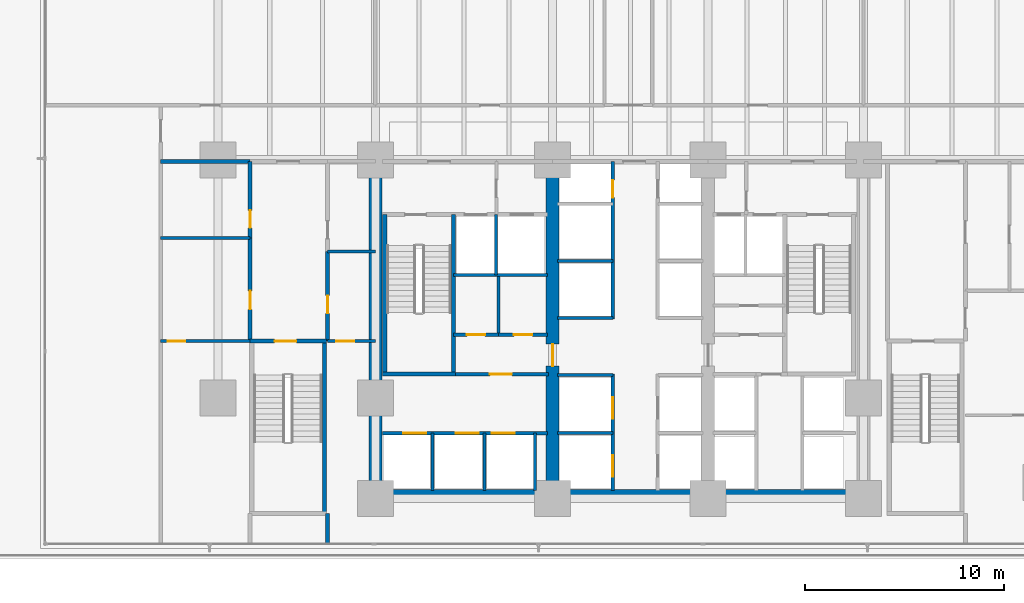
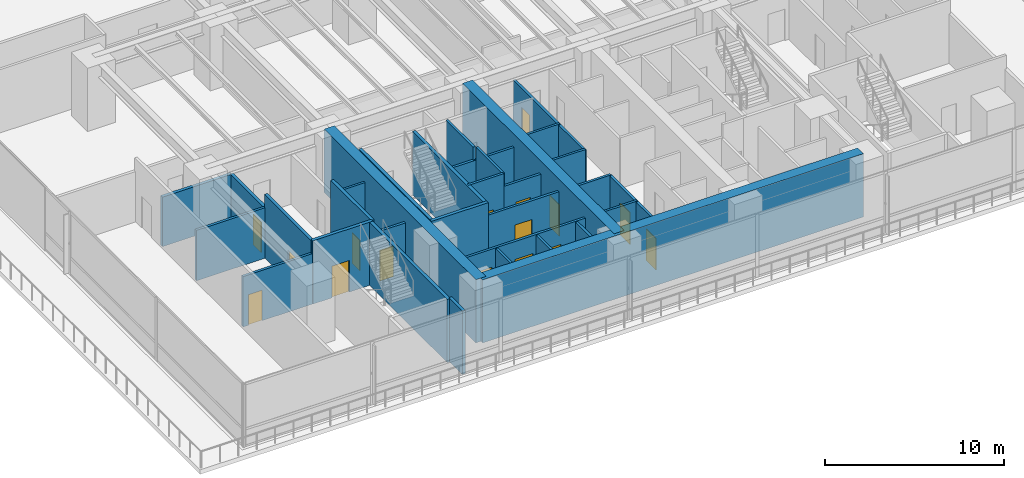
# One storey, part 9 of 24: 33 walls, 16 doors, 16 openings.
"""IFC4 building model written with IfcOpenShell, lengths in metres."""

from ifc_helpers import new_model, si_unit, direction, frame, frame_2d, origin, place, context, subcontext, project, spatial, rectangle, extrude, material, layer, layer_set, type_object, element, fill, save


model = new_model("IFC4")

# Units and contexts
model_context = context("Model", 3, precision=1e-05, world=origin(), true_north=direction((0.0, 1.0)))
body_context = subcontext(model_context, "Body", "Model", "MODEL_VIEW")
ifc_project = project(units=[si_unit("LENGTHUNIT", "METRE"), si_unit("AREAUNIT", "SQUARE_METRE"), si_unit("VOLUMEUNIT", "CUBIC_METRE"), si_unit("PLANEANGLEUNIT", "RADIAN"), si_unit("MASSUNIT", "GRAM", prefix="KILO")], contexts=[model_context])

# Site, building, storey
site_placement = place(None, origin())
site = spatial("IfcSite", under=ifc_project, at=site_placement, CompositionType="ELEMENT")
building_placement = place(site_placement, origin())
building = spatial("IfcBuilding", under=site, at=building_placement, Name="Qalmaran Belvedere Hotel", CompositionType="ELEMENT")
storey_placement = place(building_placement, frame((0.0, 0.0, 14.60009765625)))
storey = spatial("IfcBuildingStorey", under=building, at=storey_placement, Name="L03", CompositionType="ELEMENT", Elevation=14.60009765625)

# Walls
ifc_material_1 = material(Name="Concrete C60/75", Category="concrete")
ifc_layer_1 = layer(ifc_material_1, 0.64990234375, Name="Concrete C60/75")
ifc_layer_set_1 = layer_set([ifc_layer_1], Name="Concrete C60/75")
wall_type_1 = type_object("IfcWallType", Name="WL-CORE-650-C60", PredefinedType="SHEAR", material=ifc_layer_set_1)
wall_1_placement = place(storey_placement, frame((20.300048828125, 3.6298828125, 0.0), z_axis=(0.0, 0.0, 1.0), x_axis=(1.0, 0.0, 0.0)))
element("IfcWall", 1, at=wall_1_placement, inside=storey, type_object=wall_type_1, Name="L03 South Core Shear Wall", PredefinedType="SHEAR", context=body_context, shape_type="SweptSolid", body=[
    extrude(rectangle(XDim=24.5, YDim=0.64990234375, at=frame_2d((12.25, 0.0))), origin(), (0.0, 0.0, 1.0), 4.2998046875),
])
wall_2_placement = place(storey_placement, frame((20.300048828125, 3.5, 0.0), z_axis=(0.0, 0.0, 1.0), x_axis=(0.0, 1.0, 0.0)))
element("IfcWall", 2, at=wall_2_placement, inside=storey, type_object=wall_type_1, Name="L03 West Core Shear Wall", PredefinedType="SHEAR", context=body_context, shape_type="SweptSolid", body=[
    extrude(rectangle(XDim=16.89990234375, YDim=0.64990234375, at=frame_2d((8.449951171875, 0.0))), origin(), (0.0, 0.0, 1.0), 4.2998046875),
])

# Wall, opening, door
wall_3_placement = place(storey_placement, frame((29.199951171875, 3.5, 0.0), z_axis=(0.0, 0.0, 1.0), x_axis=(0.0, 1.0, 0.0)))
wall_3 = element("IfcWall", 3, at=wall_3_placement, inside=storey, type_object=wall_type_1, Name="L03 Core West Spine Shear Wall", PredefinedType="SHEAR", context=body_context, shape_type="SweptSolid", body=[
    extrude(rectangle(XDim=16.89990234375, YDim=0.64990234375, at=frame_2d((8.449951171875, 0.0))), origin(), (0.0, 0.0, 1.0), 4.2998046875),
])
opening_1_placement = place(wall_3_placement, frame((7.75, 0.0, 0.0), z_axis=(0.0, 0.0, 1.0), x_axis=(-1.0, 0.0, 0.0)))
opening_1 = element("IfcOpeningElement", 4, at=opening_1_placement, cuts=wall_3, Name="Opening FD90", PredefinedType="OPENING", context=body_context, shape_type="SweptSolid", body=[
    extrude(rectangle(XDim=1.10009765625, YDim=2.14990234375, at=frame_2d((0.550048828125, 1.074951171875))), frame((0.0, 0.3349609375, 0.0), z_axis=(0.0, -1.0, 0.0), x_axis=(1.0, 0.0, 0.0)), (0.0, 0.0, 1.0), 0.669921875),
])
ifc_material_2 = material(Name="Steel S355JR", Category="steel")
door_type_1 = type_object("IfcDoorType", Name="DR-FD90-1100X2150", OperationType="NOTDEFINED", PredefinedType="DOOR", material=ifc_material_2)
door_1_placement = place(opening_1_placement, origin())
door_1 = element("IfcDoor", 5, at=door_1_placement, inside=storey, type_object=door_type_1, Name="L03 Core West Cross-Lobby Door", OperationType="SINGLE_SWING_RIGHT", OverallHeight=2.14990234375, OverallWidth=1.10009765625, PredefinedType="DOOR", context=body_context, shape_type="SweptSolid", body=[
    extrude(rectangle(XDim=1.10009765625, YDim=2.14990234375, at=frame_2d((0.550048828125, 1.074951171875))), frame((0.0, 0.02490234375, 0.0), z_axis=(0.0, -1.0, 0.0), x_axis=(1.0, 0.0, 0.0)), (0.0, 0.0, 1.0), 0.050048828125),
])
fill(opening_1, door_1)

# Walls
ifc_material_3 = material(Name="Gypsum Stud Partition")
ifc_layer_2 = layer(ifc_material_3, 0.139892578125, Name="Gypsum Stud Partition")
ifc_layer_set_2 = layer_set([ifc_layer_2], Name="Gypsum Stud Partition")
wall_type_2 = type_object("IfcWallType", Name="WL-INT-140-NR", PredefinedType="PARTITIONING", material=ifc_layer_set_2)
wall_4_placement = place(storey_placement, frame((17.89990234375, 15.89990234375, 0.0), z_axis=(0.0, 0.0, 1.0), x_axis=(1.0, 0.0, 0.0)))
element("IfcWall", 6, at=wall_4_placement, inside=storey, type_object=wall_type_2, Name="L03 Partition WL-L03-SFGH2", PredefinedType="PARTITIONING", context=body_context, shape_type="SweptSolid", body=[
    extrude(rectangle(XDim=2.400146484375, YDim=0.139892578125, at=frame_2d((1.2001953125, 0.0))), origin(), (0.0, 0.0, 1.0), 3.429931640625),
])
ifc_layer_3 = layer(ifc_material_3, 0.14990234375, Name="Gypsum Stud Partition")
ifc_layer_set_3 = layer_set([ifc_layer_3], Name="Gypsum Stud Partition")
wall_type_3 = type_object("IfcWallType", Name="WL-INT-150-EI120", PredefinedType="PARTITIONING", material=ifc_layer_set_3)
wall_5_placement = place(storey_placement, frame((26.360107421875, 14.719970703125, 0.0), z_axis=(0.0, 0.0, 1.0), x_axis=(0.0, 1.0, 0.0)))
element("IfcWall", 7, at=wall_5_placement, inside=storey, type_object=wall_type_3, Name="L03 Partition WL-FF1M-L03", PredefinedType="PARTITIONING", context=body_context, shape_type="SweptSolid", body=[
    extrude(rectangle(XDim=3.0400390625, YDim=0.14990234375, at=frame_2d((1.52001953125, 0.0))), origin(), (0.0, 0.0, 1.0), 4.2998046875),
])
for number, where, z_axis, x_axis, name in (
    (8, (23.179931640625, 3.89990234375, 0.0), (0.0, 0.0, 1.0), (0.0, 1.0, 0.0), "L03 Partition WL-POM1-L03"),
    (9, (25.780029296875, 3.89990234375, 0.0), (0.0, 0.0, 1.0), (0.0, 1.0, 0.0), "L03 Partition WL-POM2-L03"),
    (10, (28.320068359375, 3.89990234375, 0.0), (0.0, 0.0, 1.0), (0.0, 1.0, 0.0), "L03 Partition WL-POM3-L03"),
):
    element("IfcWall", number, at=place(storey_placement, frame(where, z_axis=z_axis, x_axis=x_axis)), inside=storey, type_object=wall_type_3, Name=name, PredefinedType="PARTITIONING", context=body_context, shape_type="SweptSolid", body=[
        extrude(rectangle(XDim=2.880126953125, YDim=0.14990234375, at=frame_2d((1.43994140625, 0.0))), origin(), (0.0, 0.0, 1.0), 3.372802734375),
    ])
for number, where, z_axis, x_axis, name in (
    (11, (29.449951171875, 6.780029296875, 0.0), (0.0, 0.0, 1.0), (1.0, 0.0, 0.0), "L03 Partition WL-PLW-L03-67"),
    (12, (29.449951171875, 9.699951171875, 0.0), (0.0, 0.0, 1.0), (1.0, 0.0, 0.0), "L03 Partition WL-PLW-L03-97"),
    (13, (29.449951171875, 12.550048828125, 0.0), (0.0, 0.0, 1.0), (1.0, 0.0, 0.0), "L03 Partition WL-PMW-L03-125"),
    (14, (29.449951171875, 15.419921875, 0.0), (0.0, 0.0, 1.0), (1.0, 0.0, 0.0), "L03 Partition WL-PMW-L03-154"),
):
    element("IfcWall", number, at=place(storey_placement, frame(where, z_axis=z_axis, x_axis=x_axis)), inside=storey, type_object=wall_type_3, Name=name, PredefinedType="PARTITIONING", context=body_context, shape_type="SweptSolid", body=[
        extrude(rectangle(XDim=2.77001953125, YDim=0.14990234375, at=frame_2d((1.385009765625, 0.0))), origin(), (0.0, 0.0, 1.0), 3.429931640625),
    ])
ifc_layer_4 = layer(ifc_material_3, 0.14990234375, Name="Gypsum Stud Partition")
ifc_layer_set_4 = layer_set([ifc_layer_4], Name="Gypsum Stud Partition")
wall_type_4 = type_object("IfcWallType", Name="WL-INT-150-EI60", PredefinedType="PARTITIONING", material=ifc_layer_set_4)
wall_6_placement = place(storey_placement, frame((26.490478515625, 11.719970703125, 0.0), z_axis=(0.0, 0.0, 1.0), x_axis=(0.0, 1.0, 0.0)))
element("IfcWall", 15, at=wall_6_placement, inside=storey, type_object=wall_type_4, Name="L03 Partition WL-L03-KWV1", PredefinedType="PARTITIONING", context=body_context, shape_type="SweptSolid", body=[
    extrude(rectangle(XDim=2.929931640625, YDim=0.14990234375, at=frame_2d((1.46484375, 0.0))), origin(), (0.0, 0.0, 1.0), 4.2998046875),
])
ifc_layer_5 = layer(ifc_material_3, 0.159912109375, Name="Gypsum Stud Partition")
ifc_layer_set_5 = layer_set([ifc_layer_5], Name="Gypsum Stud Partition")
wall_type_5 = type_object("IfcWallType", Name="WL-INT-160-EI120", PredefinedType="PARTITIONING", material=ifc_layer_set_5)
wall_7_placement = place(storey_placement, frame((24.219970703125, 14.719970703125, 0.0), z_axis=(0.0, 0.0, 1.0), x_axis=(1.0, 0.0, 0.0)))
element("IfcWall", 16, at=wall_7_placement, inside=storey, type_object=wall_type_5, Name="L03 Partition WL-FF1S-L03", PredefinedType="PARTITIONING", context=body_context, shape_type="SweptSolid", body=[
    extrude(rectangle(XDim=4.72998046875, YDim=0.159912109375, at=frame_2d((2.364990234375, 0.0))), origin(), (0.0, 0.0, 1.0), 3.429931640625),
])

# Wall, openings, doors
wall_8_placement = place(storey_placement, frame((20.64990234375, 6.780029296875, 0.0), z_axis=(0.0, 0.0, 1.0), x_axis=(1.0, 0.0, 0.0)))
wall_8 = element("IfcWall", 17, at=wall_8_placement, inside=storey, type_object=wall_type_5, Name="L03 Partition WL-POS-L03", PredefinedType="PARTITIONING", context=body_context, shape_type="SweptSolid", body=[
    extrude(rectangle(XDim=8.300048828125, YDim=0.159912109375, at=frame_2d((4.14990234375, 0.0))), origin(), (0.0, 0.0, 1.0), 3.429931640625),
])
opening_2_placement = place(wall_8_placement, frame((3.69482421875, 0.0, 0.0)))
opening_2 = element("IfcOpeningElement", 18, at=opening_2_placement, cuts=wall_8, Name="Opening LD-PO", PredefinedType="OPENING", context=body_context, shape_type="SweptSolid", body=[
    extrude(rectangle(XDim=1.14990234375, YDim=2.199951171875, at=frame_2d((0.574951171875, 1.10009765625))), frame((0.0, 0.08984375, 0.0), z_axis=(0.0, -1.0, 0.0), x_axis=(1.0, 0.0, 0.0)), (0.0, 0.0, 1.0), 0.179931640625),
])
opening_3_placement = place(wall_8_placement, frame((5.4921875, 0.0, 0.0)))
opening_3 = element("IfcOpeningElement", 19, at=opening_3_placement, cuts=wall_8, Name="Opening LD-PO", PredefinedType="OPENING", context=body_context, shape_type="SweptSolid", body=[
    extrude(rectangle(XDim=1.14990234375, YDim=2.199951171875, at=frame_2d((0.574951171875, 1.10009765625))), frame((0.0, 0.08984375, 0.0), z_axis=(0.0, -1.0, 0.0), x_axis=(1.0, 0.0, 0.0)), (0.0, 0.0, 1.0), 0.179931640625),
])
opening_4_placement = place(wall_8_placement, frame((1.058837890625, 0.0, 0.0)))
opening_4 = element("IfcOpeningElement", 20, at=opening_4_placement, cuts=wall_8, Name="Opening LD-PO", PredefinedType="OPENING", context=body_context, shape_type="SweptSolid", body=[
    extrude(rectangle(XDim=1.14990234375, YDim=2.199951171875, at=frame_2d((0.574951171875, 1.10009765625))), frame((0.0, 0.08984375, 0.0), z_axis=(0.0, -1.0, 0.0), x_axis=(1.0, 0.0, 0.0)), (0.0, 0.0, 1.0), 0.179931640625),
])
ifc_material_4 = material(Name="Anodised Bronze Aluminium", Category="aluminium")
door_type_2 = type_object("IfcDoorType", Name="DR-LIFT-PO-1150X2200", OperationType="DOUBLE_DOOR_SLIDING", PredefinedType="DOOR", material=ifc_material_4)
door_2_placement = place(opening_2_placement, origin())
door_2 = element("IfcDoor", 21, at=door_2_placement, inside=storey, type_object=door_type_2, Name="L03 PO1 Shuttle Landing Door", OperationType="DOUBLE_DOOR_SLIDING", OverallHeight=2.199951171875, OverallWidth=1.14990234375, PredefinedType="DOOR", context=body_context, shape_type="SweptSolid", body=[
    extrude(rectangle(XDim=1.14990234375, YDim=2.199951171875, at=frame_2d((0.574951171875, 1.10009765625))), frame((0.0, 0.02490234375, 0.0), z_axis=(0.0, -1.0, 0.0), x_axis=(1.0, 0.0, 0.0)), (0.0, 0.0, 1.0), 0.050048828125),
])
fill(opening_2, door_2)
door_3_placement = place(opening_3_placement, origin())
door_3 = element("IfcDoor", 22, at=door_3_placement, inside=storey, type_object=door_type_2, Name="L03 PO2 Shuttle Landing Door", OperationType="DOUBLE_DOOR_SLIDING", OverallHeight=2.199951171875, OverallWidth=1.14990234375, PredefinedType="DOOR", context=body_context, shape_type="SweptSolid", body=[
    extrude(rectangle(XDim=1.14990234375, YDim=2.199951171875, at=frame_2d((0.574951171875, 1.10009765625))), frame((0.0, 0.02490234375, 0.0), z_axis=(0.0, -1.0, 0.0), x_axis=(1.0, 0.0, 0.0)), (0.0, 0.0, 1.0), 0.050048828125),
])
fill(opening_3, door_3)
door_4_placement = place(opening_4_placement, origin())
door_4 = element("IfcDoor", 23, at=door_4_placement, inside=storey, type_object=door_type_2, Name="L03 PO3 Shuttle Landing Door", OperationType="DOUBLE_DOOR_SLIDING", OverallHeight=2.199951171875, OverallWidth=1.14990234375, PredefinedType="DOOR", context=body_context, shape_type="SweptSolid", body=[
    extrude(rectangle(XDim=1.14990234375, YDim=2.199951171875, at=frame_2d((0.574951171875, 1.10009765625))), frame((0.0, 0.02490234375, 0.0), z_axis=(0.0, -1.0, 0.0), x_axis=(1.0, 0.0, 0.0)), (0.0, 0.0, 1.0), 0.050048828125),
])
fill(opening_4, door_4)

# Wall, opening, door
wall_9_placement = place(storey_placement, frame((24.199951171875, 9.739990234375, 0.0), z_axis=(0.0, 0.0, 1.0), x_axis=(1.0, 0.0, 0.0)))
wall_9 = element("IfcWall", 24, at=wall_9_placement, inside=storey, type_object=wall_type_5, Name="L03 Partition WL-PON-L03", PredefinedType="PARTITIONING", context=body_context, shape_type="SweptSolid", body=[
    extrude(rectangle(XDim=4.800048828125, YDim=0.159912109375, at=frame_2d((2.39990234375, 0.0))), origin(), (0.0, 0.0, 1.0), 3.429931640625),
])
opening_5_placement = place(wall_9_placement, frame((1.85009765625, 0.0, 0.0)))
opening_5 = element("IfcOpeningElement", 25, at=opening_5_placement, cuts=wall_9, Name="Opening FD90", PredefinedType="OPENING", context=body_context, shape_type="SweptSolid", body=[
    extrude(rectangle(XDim=1.10009765625, YDim=2.14990234375, at=frame_2d((0.550048828125, 1.074951171875))), frame((0.0, 0.08984375, 0.0), z_axis=(0.0, -1.0, 0.0), x_axis=(1.0, 0.0, 0.0)), (0.0, 0.0, 1.0), 0.179931640625),
])
door_5_placement = place(opening_5_placement, origin())
door_5 = element("IfcDoor", 26, at=door_5_placement, inside=storey, type_object=door_type_1, Name="L03 Shuttle Lobby Passage Door", OperationType="SINGLE_SWING_LEFT", OverallHeight=2.14990234375, OverallWidth=1.10009765625, PredefinedType="DOOR", context=body_context, shape_type="SweptSolid", body=[
    extrude(rectangle(XDim=1.10009765625, YDim=2.14990234375, at=frame_2d((0.550048828125, 1.074951171875))), frame((0.0, 0.02490234375, 0.0), z_axis=(0.0, -1.0, 0.0), x_axis=(1.0, 0.0, 0.0)), (0.0, 0.0, 1.0), 0.050048828125),
])
fill(opening_5, door_5)

# Wall, openings, doors
wall_10_placement = place(storey_placement, frame((32.219970703125, 3.89990234375, 0.0), z_axis=(0.0, 0.0, 1.0), x_axis=(0.0, 1.0, 0.0)))
wall_10 = element("IfcWall", 27, at=wall_10_placement, inside=storey, type_object=wall_type_5, Name="L03 Partition WL-CLBWS-L03", PredefinedType="PARTITIONING", context=body_context, shape_type="SweptSolid", body=[
    extrude(rectangle(XDim=5.840087890625, YDim=0.159912109375, at=frame_2d((2.919921875, 0.0))), origin(), (0.0, 0.0, 1.0), 3.372802734375),
])
opening_6_placement = place(wall_10_placement, frame((1.780029296875, 0.0, 0.0), z_axis=(0.0, 0.0, 1.0), x_axis=(-1.0, 0.0, 0.0)))
opening_6 = element("IfcOpeningElement", 28, at=opening_6_placement, cuts=wall_10, Name="Opening LD-P1", PredefinedType="OPENING", context=body_context, shape_type="SweptSolid", body=[
    extrude(rectangle(XDim=1.080078125, YDim=2.159912109375, at=frame_2d((0.5400390625, 1.080078125))), frame((0.0, 0.08984375, 0.0), z_axis=(0.0, -1.0, 0.0), x_axis=(1.0, 0.0, 0.0)), (0.0, 0.0, 1.0), 0.179931640625),
])
opening_7_placement = place(wall_10_placement, frame((4.68017578125, 0.0, 0.0), z_axis=(0.0, 0.0, 1.0), x_axis=(-1.0, 0.0, 0.0)))
opening_7 = element("IfcOpeningElement", 29, at=opening_7_placement, cuts=wall_10, Name="Opening LD-P1", PredefinedType="OPENING", context=body_context, shape_type="SweptSolid", body=[
    extrude(rectangle(XDim=1.080078125, YDim=2.159912109375, at=frame_2d((0.5400390625, 1.080078125))), frame((0.0, 0.08984375, 0.0), z_axis=(0.0, -1.0, 0.0), x_axis=(1.0, 0.0, 0.0)), (0.0, 0.0, 1.0), 0.179931640625),
])
ifc_material_5 = material(Name="Stainless Steel 1.4401", Category="steel")
door_type_3 = type_object("IfcDoorType", Name="DR-LIFT-P1-1080X2160", OperationType="DOUBLE_DOOR_SLIDING", PredefinedType="DOOR", material=ifc_material_5)
door_6_placement = place(opening_6_placement, origin())
door_6 = element("IfcDoor", 30, at=door_6_placement, inside=storey, type_object=door_type_3, Name="L03 PL1 Lift Landing Door", OperationType="DOUBLE_DOOR_SLIDING", OverallHeight=2.159912109375, OverallWidth=1.080078125, PredefinedType="DOOR", context=body_context, shape_type="SweptSolid", body=[
    extrude(rectangle(XDim=1.080078125, YDim=2.159912109375, at=frame_2d((0.5400390625, 1.080078125))), frame((0.0, 0.02490234375, 0.0), z_axis=(0.0, -1.0, 0.0), x_axis=(1.0, 0.0, 0.0)), (0.0, 0.0, 1.0), 0.050048828125),
])
fill(opening_6, door_6)
door_7_placement = place(opening_7_placement, origin())
door_7 = element("IfcDoor", 31, at=door_7_placement, inside=storey, type_object=door_type_3, Name="L03 PL2 Lift Landing Door", OperationType="DOUBLE_DOOR_SLIDING", OverallHeight=2.159912109375, OverallWidth=1.080078125, PredefinedType="DOOR", context=body_context, shape_type="SweptSolid", body=[
    extrude(rectangle(XDim=1.080078125, YDim=2.159912109375, at=frame_2d((0.5400390625, 1.080078125))), frame((0.0, 0.02490234375, 0.0), z_axis=(0.0, -1.0, 0.0), x_axis=(1.0, 0.0, 0.0)), (0.0, 0.0, 1.0), 0.050048828125),
])
fill(opening_7, door_7)

# Wall, opening, door
wall_11_placement = place(storey_placement, frame((32.219970703125, 12.5, 0.0), z_axis=(0.0, 0.0, 1.0), x_axis=(0.0, 1.0, 0.0)))
wall_11 = element("IfcWall", 32, at=wall_11_placement, inside=storey, type_object=wall_type_5, Name="L03 Partition WL-CLBWN-L03", PredefinedType="PARTITIONING", context=body_context, shape_type="SweptSolid", body=[
    extrude(rectangle(XDim=7.919921875, YDim=0.159912109375, at=frame_2d((3.9599609375, 0.0))), origin(), (0.0, 0.0, 1.0), 3.372802734375),
])
opening_8_placement = place(wall_11_placement, frame((6.10009765625, 0.0, 0.0)))
opening_8 = element("IfcOpeningElement", 33, at=opening_8_placement, cuts=wall_11, Name="Opening FD60B", PredefinedType="OPENING", context=body_context, shape_type="SweptSolid", body=[
    extrude(rectangle(XDim=0.8798828125, YDim=2.080078125, at=frame_2d((0.43994140625, 1.0400390625))), frame((0.0, 0.08984375, 0.0), z_axis=(0.0, -1.0, 0.0), x_axis=(1.0, 0.0, 0.0)), (0.0, 0.0, 1.0), 0.179931640625),
])
door_type_4 = type_object("IfcDoorType", Name="DR-FD60B-880X2080", OperationType="NOTDEFINED", PredefinedType="DOOR", material=ifc_material_2)
door_8_placement = place(opening_8_placement, origin())
door_8 = element("IfcDoor", 34, at=door_8_placement, inside=storey, type_object=door_type_4, Name="L03 West Riser Access Door", OperationType="SINGLE_SWING_LEFT", OverallHeight=2.080078125, OverallWidth=0.8798828125, PredefinedType="DOOR", context=body_context, shape_type="SweptSolid", body=[
    extrude(rectangle(XDim=0.8798828125, YDim=2.080078125, at=frame_2d((0.43994140625, 1.0400390625))), frame((0.0, 0.02490234375, 0.0), z_axis=(0.0, -1.0, 0.0), x_axis=(1.0, 0.0, 0.0)), (0.0, 0.0, 1.0), 0.050048828125),
])
fill(opening_8, door_8)

ifc_layer_6 = layer(ifc_material_3, 0.159912109375, Name="Gypsum Stud Partition")
ifc_layer_set_6 = layer_set([ifc_layer_6], Name="Gypsum Stud Partition")
wall_type_6 = type_object("IfcWallType", Name="WL-INT-160-EI60", PredefinedType="PARTITIONING", material=ifc_layer_set_6)
wall_12_placement = place(storey_placement, frame((24.219970703125, 11.719970703125, 0.0), z_axis=(0.0, 0.0, 1.0), x_axis=(1.0, 0.0, 0.0)))
wall_12 = element("IfcWall", 35, at=wall_12_placement, inside=storey, type_object=wall_type_6, Name="L03 Partition WL-L03-KWE1", PredefinedType="PARTITIONING", context=body_context, shape_type="SweptSolid", body=[
    extrude(rectangle(XDim=2.2705078125, YDim=0.159912109375, at=frame_2d((1.13525390625, 0.0))), origin(), (0.0, 0.0, 1.0), 4.2998046875),
])
opening_9_placement = place(wall_12_placement, frame((0.67529296875, 0.0, 0.0)))
opening_9 = element("IfcOpeningElement", 36, at=opening_9_placement, cuts=wall_12, Name="Opening FD60S1", PredefinedType="OPENING", context=body_context, shape_type="SweptSolid", body=[
    extrude(rectangle(XDim=0.919921875, YDim=2.080078125, at=frame_2d((0.4599609375, 1.0400390625))), frame((0.0, 0.08984375, 0.0), z_axis=(0.0, -1.0, 0.0), x_axis=(1.0, 0.0, 0.0)), (0.0, 0.0, 1.0), 0.179931640625),
])
ifc_material_6 = material(Name="Engineered Oak Veneer")
door_type_5 = type_object("IfcDoorType", Name="DR-FD60S-920X2080", OperationType="NOTDEFINED", PredefinedType="DOOR", material=ifc_material_6)
door_9_placement = place(opening_9_placement, origin())
door_9 = element("IfcDoor", 37, at=door_9_placement, inside=storey, type_object=door_type_5, Name="L03 Telecom and IT Room Door", OperationType="SINGLE_SWING_LEFT", OverallHeight=2.080078125, OverallWidth=0.919921875, PredefinedType="DOOR", context=body_context, shape_type="SweptSolid", body=[
    extrude(rectangle(XDim=0.919921875, YDim=2.080078125, at=frame_2d((0.4599609375, 1.0400390625))), frame((0.0, 0.02490234375, 0.0), z_axis=(0.0, -1.0, 0.0), x_axis=(1.0, 0.0, 0.0)), (0.0, 0.0, 1.0), 0.050048828125),
])
fill(opening_9, door_9)

wall_13_placement = place(storey_placement, frame((26.490478515625, 11.719970703125, 0.0), z_axis=(0.0, 0.0, 1.0), x_axis=(1.0, 0.0, 0.0)))
wall_13 = element("IfcWall", 38, at=wall_13_placement, inside=storey, type_object=wall_type_6, Name="L03 Partition WL-L03-KWE2", PredefinedType="PARTITIONING", context=body_context, shape_type="SweptSolid", body=[
    extrude(rectangle(XDim=2.45947265625, YDim=0.159912109375, at=frame_2d((1.229736328125, 0.0))), origin(), (0.0, 0.0, 1.0), 3.429931640625),
])
opening_10_placement = place(wall_13_placement, frame((0.769775390625, 0.0, 0.0)))
opening_10 = element("IfcOpeningElement", 39, at=opening_10_placement, cuts=wall_13, Name="Opening FD60S1", PredefinedType="OPENING", context=body_context, shape_type="SweptSolid", body=[
    extrude(rectangle(XDim=0.919921875, YDim=2.080078125, at=frame_2d((0.4599609375, 1.0400390625))), frame((0.0, 0.08984375, 0.0), z_axis=(0.0, -1.0, 0.0), x_axis=(1.0, 0.0, 0.0)), (0.0, 0.0, 1.0), 0.179931640625),
])
door_10_placement = place(opening_10_placement, origin())
door_10 = element("IfcDoor", 40, at=door_10_placement, inside=storey, type_object=door_type_5, Name="L03 Cleaner Supply Store Door", OperationType="SINGLE_SWING_RIGHT", OverallHeight=2.080078125, OverallWidth=0.919921875, PredefinedType="DOOR", context=body_context, shape_type="SweptSolid", body=[
    extrude(rectangle(XDim=0.919921875, YDim=2.080078125, at=frame_2d((0.4599609375, 1.0400390625))), frame((0.0, 0.02490234375, 0.0), z_axis=(0.0, -1.0, 0.0), x_axis=(1.0, 0.0, 0.0)), (0.0, 0.0, 1.0), 0.050048828125),
])
fill(opening_10, door_10)

# Wall
wall_14_placement = place(storey_placement, frame((9.52001953125, 16.580078125, 0.0), z_axis=(0.0, 0.0, 1.0), x_axis=(1.0, 0.0, 0.0)))
element("IfcWall", 41, at=wall_14_placement, inside=storey, type_object=wall_type_6, Name="L03 Partition WL-L03-WC2", PredefinedType="PARTITIONING", context=body_context, shape_type="SweptSolid", body=[
    extrude(rectangle(XDim=4.5, YDim=0.159912109375, at=frame_2d((2.25, 0.0))), origin(), (0.0, 0.0, 1.0), 3.429931640625),
])

# Wall, opening, door
wall_15_placement = place(storey_placement, frame((9.52001953125, 11.39990234375, 0.0), z_axis=(0.0, 0.0, 1.0), x_axis=(1.0, 0.0, 0.0)))
wall_15 = element("IfcWall", 42, at=wall_15_placement, inside=storey, type_object=wall_type_6, Name="L03 Partition WL-L03-WCS", PredefinedType="PARTITIONING", context=body_context, shape_type="SweptSolid", body=[
    extrude(rectangle(XDim=4.5, YDim=0.159912109375, at=frame_2d((2.25, 0.0))), origin(), (0.0, 0.0, 1.0), 3.429931640625),
])
opening_11_placement = place(wall_15_placement, frame((1.22998046875, 0.0, 0.0), z_axis=(0.0, 0.0, 1.0), x_axis=(-1.0, 0.0, 0.0)))
opening_11 = element("IfcOpeningElement", 43, at=opening_11_placement, cuts=wall_15, Name="Opening FD60B", PredefinedType="OPENING", context=body_context, shape_type="SweptSolid", body=[
    extrude(rectangle(XDim=0.8798828125, YDim=2.080078125, at=frame_2d((0.43994140625, 1.0400390625))), frame((0.0, 0.08984375, 0.0), z_axis=(0.0, -1.0, 0.0), x_axis=(1.0, 0.0, 0.0)), (0.0, 0.0, 1.0), 0.179931640625),
])
door_11_placement = place(opening_11_placement, origin())
door_11 = element("IfcDoor", 44, at=door_11_placement, inside=storey, type_object=door_type_4, Name="L03 South Cloakroom Door", OperationType="SINGLE_SWING_LEFT", OverallHeight=2.080078125, OverallWidth=0.8798828125, PredefinedType="DOOR", context=body_context, shape_type="SweptSolid", body=[
    extrude(rectangle(XDim=0.8798828125, YDim=2.080078125, at=frame_2d((0.43994140625, 1.0400390625))), frame((0.0, 0.02490234375, 0.0), z_axis=(0.0, -1.0, 0.0), x_axis=(1.0, 0.0, 0.0)), (0.0, 0.0, 1.0), 0.050048828125),
])
fill(opening_11, door_11)

wall_16_placement = place(storey_placement, frame((17.89990234375, 11.39990234375, 0.0), z_axis=(0.0, 0.0, 1.0), x_axis=(1.0, 0.0, 0.0)))
wall_16 = element("IfcWall", 45, at=wall_16_placement, inside=storey, type_object=wall_type_6, Name="L03 Partition WL-L03-SFGH1", PredefinedType="PARTITIONING", context=body_context, shape_type="SweptSolid", body=[
    extrude(rectangle(XDim=2.400146484375, YDim=0.159912109375, at=frame_2d((1.2001953125, 0.0))), origin(), (0.0, 0.0, 1.0), 3.429931640625),
])
opening_12_placement = place(wall_16_placement, frame((1.329833984375, 0.0, 0.0), z_axis=(0.0, 0.0, 1.0), x_axis=(-1.0, 0.0, 0.0)))
opening_12 = element("IfcOpeningElement", 46, at=opening_12_placement, cuts=wall_16, Name="Opening FD60B", PredefinedType="OPENING", context=body_context, shape_type="SweptSolid", body=[
    extrude(rectangle(XDim=0.8798828125, YDim=2.080078125, at=frame_2d((0.43994140625, 1.0400390625))), frame((0.0, 0.08984375, 0.0), z_axis=(0.0, -1.0, 0.0), x_axis=(1.0, 0.0, 0.0)), (0.0, 0.0, 1.0), 0.179931640625),
])
door_12_placement = place(opening_12_placement, origin())
door_12 = element("IfcDoor", 47, at=door_12_placement, inside=storey, type_object=door_type_4, Name="L03 South Foyer Store Door", OperationType="SINGLE_SWING_RIGHT", OverallHeight=2.080078125, OverallWidth=0.8798828125, PredefinedType="DOOR", context=body_context, shape_type="SweptSolid", body=[
    extrude(rectangle(XDim=0.8798828125, YDim=2.080078125, at=frame_2d((0.43994140625, 1.0400390625))), frame((0.0, 0.02490234375, 0.0), z_axis=(0.0, -1.0, 0.0), x_axis=(1.0, 0.0, 0.0)), (0.0, 0.0, 1.0), 0.050048828125),
])
fill(opening_12, door_12)

ifc_material_7 = material(Name="Concrete C30/37 Blockwork", Category="masonry")
ifc_layer_7 = layer(ifc_material_7, 0.199951171875, Name="Concrete C30/37 Blockwork")
ifc_layer_set_7 = layer_set([ifc_layer_7], Name="Concrete C30/37 Blockwork")
wall_type_7 = type_object("IfcWallType", Name="WL-INT-200-EI120", PredefinedType="PARTITIONING", material=ifc_layer_set_7)
wall_17_placement = place(storey_placement, frame((14.02001953125, 11.39990234375, 0.0), z_axis=(0.0, 0.0, 1.0), x_axis=(0.0, 1.0, 0.0)))
wall_17 = element("IfcWall", 48, at=wall_17_placement, inside=storey, type_object=wall_type_7, Name="L03 Partition WL-L03-STPWM", PredefinedType="PARTITIONING", context=body_context, shape_type="SweptSolid", body=[
    extrude(rectangle(XDim=5.18017578125, YDim=0.199951171875, at=frame_2d((2.590087890625, 0.0))), origin(), (0.0, 0.0, 1.0), 4.2998046875),
])
opening_13_placement = place(wall_17_placement, frame((1.60009765625, 0.0, 0.0)))
opening_13 = element("IfcOpeningElement", 49, at=opening_13_placement, cuts=wall_17, Name="Opening FD60S1", PredefinedType="OPENING", context=body_context, shape_type="SweptSolid", body=[
    extrude(rectangle(XDim=0.919921875, YDim=2.080078125, at=frame_2d((0.4599609375, 1.0400390625))), frame((0.0, 0.10986328125, 0.0), z_axis=(0.0, -1.0, 0.0), x_axis=(1.0, 0.0, 0.0)), (0.0, 0.0, 1.0), 0.219970703125),
])
door_13_placement = place(opening_13_placement, origin())
door_13 = element("IfcDoor", 50, at=door_13_placement, inside=storey, type_object=door_type_5, Name="L03 Catering Linen Store Door", OperationType="SINGLE_SWING_LEFT", OverallHeight=2.080078125, OverallWidth=0.919921875, PredefinedType="DOOR", context=body_context, shape_type="SweptSolid", body=[
    extrude(rectangle(XDim=0.919921875, YDim=2.080078125, at=frame_2d((0.4599609375, 1.0400390625))), frame((0.0, 0.02490234375, 0.0), z_axis=(0.0, -1.0, 0.0), x_axis=(1.0, 0.0, 0.0)), (0.0, 0.0, 1.0), 0.050048828125),
])
fill(opening_13, door_13)

wall_18_placement = place(storey_placement, frame((14.02001953125, 16.580078125, 0.0), z_axis=(0.0, 0.0, 1.0), x_axis=(0.0, 1.0, 0.0)))
wall_18 = element("IfcWall", 51, at=wall_18_placement, inside=storey, type_object=wall_type_7, Name="L03 Partition WL-L03-STPWA", PredefinedType="PARTITIONING", context=body_context, shape_type="SweptSolid", body=[
    extrude(rectangle(XDim=3.83984375, YDim=0.199951171875, at=frame_2d((1.919921875, 0.0))), origin(), (0.0, 0.0, 1.0), 3.372802734375),
])
opening_14_placement = place(wall_18_placement, frame((0.5, 0.0, 0.0)))
opening_14 = element("IfcOpeningElement", 52, at=opening_14_placement, cuts=wall_18, Name="Opening FD60B", PredefinedType="OPENING", context=body_context, shape_type="SweptSolid", body=[
    extrude(rectangle(XDim=0.8798828125, YDim=2.080078125, at=frame_2d((0.43994140625, 1.0400390625))), frame((0.0, 0.10986328125, 0.0), z_axis=(0.0, -1.0, 0.0), x_axis=(1.0, 0.0, 0.0)), (0.0, 0.0, 1.0), 0.219970703125),
])
door_14_placement = place(opening_14_placement, origin())
door_14 = element("IfcDoor", 53, at=door_14_placement, inside=storey, type_object=door_type_4, Name="L03 Accessible WC Door", OperationType="SINGLE_SWING_RIGHT", OverallHeight=2.080078125, OverallWidth=0.8798828125, PredefinedType="DOOR", context=body_context, shape_type="SweptSolid", body=[
    extrude(rectangle(XDim=0.8798828125, YDim=2.080078125, at=frame_2d((0.43994140625, 1.0400390625))), frame((0.0, 0.02490234375, 0.0), z_axis=(0.0, -1.0, 0.0), x_axis=(1.0, 0.0, 0.0)), (0.0, 0.0, 1.0), 0.050048828125),
])
fill(opening_14, door_14)

wall_19_placement = place(storey_placement, frame((17.89990234375, 11.39990234375, 0.0), z_axis=(0.0, 0.0, 1.0), x_axis=(0.0, 1.0, 0.0)))
wall_19 = element("IfcWall", 54, at=wall_19_placement, inside=storey, type_object=wall_type_7, Name="L03 Partition WL-L03-STPW2A", PredefinedType="PARTITIONING", context=body_context, shape_type="SweptSolid", body=[
    extrude(rectangle(XDim=4.5, YDim=0.199951171875, at=frame_2d((2.25, 0.0))), origin(), (0.0, 0.0, 1.0), 4.2998046875),
])
opening_15_placement = place(wall_19_placement, frame((2.27978515625, 0.0, 0.0), z_axis=(0.0, 0.0, 1.0), x_axis=(-1.0, 0.0, 0.0)))
opening_15 = element("IfcOpeningElement", 55, at=opening_15_placement, cuts=wall_19, Name="Opening FD60B", PredefinedType="OPENING", context=body_context, shape_type="SweptSolid", body=[
    extrude(rectangle(XDim=0.8798828125, YDim=2.080078125, at=frame_2d((0.43994140625, 1.0400390625))), frame((0.0, 0.10986328125, 0.0), z_axis=(0.0, -1.0, 0.0), x_axis=(1.0, 0.0, 0.0)), (0.0, 0.0, 1.0), 0.219970703125),
])
door_15_placement = place(opening_15_placement, origin())
door_15 = element("IfcDoor", 56, at=door_15_placement, inside=storey, type_object=door_type_4, Name="L03 Male WC Door", OperationType="SINGLE_SWING_RIGHT", OverallHeight=2.080078125, OverallWidth=0.8798828125, PredefinedType="DOOR", context=body_context, shape_type="SweptSolid", body=[
    extrude(rectangle(XDim=0.8798828125, YDim=2.080078125, at=frame_2d((0.43994140625, 1.0400390625))), frame((0.0, 0.02490234375, 0.0), z_axis=(0.0, -1.0, 0.0), x_axis=(1.0, 0.0, 0.0)), (0.0, 0.0, 1.0), 0.050048828125),
])
fill(opening_15, door_15)

# Walls
wall_20_placement = place(storey_placement, frame((17.89990234375, 1.219970703125, 0.0), z_axis=(0.0, 0.0, 1.0), x_axis=(0.0, 1.0, 0.0)))
element("IfcWall", 57, at=wall_20_placement, inside=storey, type_object=wall_type_7, Name="L03 Partition WL-L03-STPW2S", PredefinedType="PARTITIONING", context=body_context, shape_type="SweptSolid", body=[
    extrude(rectangle(XDim=1.530029296875, YDim=0.199951171875, at=frame_2d((0.76513671875, 0.0))), origin(), (0.0, 0.0, 1.0), 4.2998046875),
])
wall_21_placement = place(storey_placement, frame((9.52001953125, 20.419921875, 0.0), z_axis=(0.0, 0.0, 1.0), x_axis=(1.0, 0.0, 0.0)))
element("IfcWall", 58, at=wall_21_placement, inside=storey, type_object=wall_type_7, Name="L03 Partition WL-L03-CSW1", PredefinedType="PARTITIONING", context=body_context, shape_type="SweptSolid", body=[
    extrude(rectangle(XDim=4.5, YDim=0.199951171875, at=frame_2d((2.25, 0.0))), origin(), (0.0, 0.0, 1.0), 3.372802734375),
])
ifc_material_8 = material(Name="Concrete C50/60", Category="concrete")
ifc_layer_8 = layer(ifc_material_8, 0.2099609375, Name="Concrete C50/60")
ifc_layer_set_8 = layer_set([ifc_layer_8], Name="Concrete C50/60")
wall_type_8 = type_object("IfcWallType", Name="WL-STAIR-210-C50", PredefinedType="SHEAR", material=ifc_layer_set_8)
for number, where, z_axis, x_axis, name in (
    (59, (20.77490234375, 9.7451171875, 0.0), (0.0, 0.0, 1.0), (0.0, 1.0, 0.0), "L03 Stair ST-1 West Bearing Wall"),
    (60, (24.22509765625, 9.7451171875, 0.0), (0.0, 0.0, 1.0), (0.0, 1.0, 0.0), "L03 Stair ST-1 East Bearing Wall"),
):
    element("IfcWall", number, at=place(storey_placement, frame(where, z_axis=z_axis, x_axis=x_axis)), inside=storey, type_object=wall_type_8, Name=name, PredefinedType="SHEAR", context=body_context, shape_type="SweptSolid", body=[
        extrude(rectangle(XDim=8.009765625, YDim=0.2099609375, at=frame_2d((4.0048828125, 0.0))), origin(), (0.0, 0.0, 1.0), 4.2998046875),
    ])
wall_22_placement = place(storey_placement, frame((20.669921875, 9.7451171875, 0.0), z_axis=(0.0, 0.0, 1.0), x_axis=(1.0, 0.0, 0.0)))
element("IfcWall", 61, at=wall_22_placement, inside=storey, type_object=wall_type_8, Name="L03 Stair ST-1 South Bearing Wall", PredefinedType="SHEAR", context=body_context, shape_type="SweptSolid", body=[
    extrude(rectangle(XDim=3.66015625, YDim=0.2099609375, at=frame_2d((1.830078125, 0.0))), origin(), (0.0, 0.0, 1.0), 4.2998046875),
])
wall_23_placement = place(storey_placement, frame((17.7451171875, 2.639892578125, 0.0), z_axis=(0.0, 0.0, 1.0), x_axis=(0.0, 1.0, 0.0)))
element("IfcWall", 62, at=wall_23_placement, inside=storey, type_object=wall_type_8, Name="L03 Podium Stair STP1 East Bearing Wall", PredefinedType="SHEAR", context=body_context, shape_type="SweptSolid", body=[
    extrude(rectangle(XDim=8.8701171875, YDim=0.2099609375, at=frame_2d((4.43505859375, 0.0))), origin(), (0.0, 0.0, 1.0), 4.2998046875),
])

# Wall, opening, door
wall_24_placement = place(storey_placement, frame((13.989990234375, 11.405029296875, 0.0), z_axis=(0.0, 0.0, 1.0), x_axis=(1.0, 0.0, 0.0)))
wall_24 = element("IfcWall", 63, at=wall_24_placement, inside=storey, type_object=wall_type_8, Name="L03 Podium Stair STP1 North Bearing Wall", PredefinedType="SHEAR", context=body_context, shape_type="SweptSolid", body=[
    extrude(rectangle(XDim=3.860107421875, YDim=0.2099609375, at=frame_2d((1.93017578125, 0.0))), origin(), (0.0, 0.0, 1.0), 4.2998046875),
])
opening_16_placement = place(wall_24_placement, frame((2.35009765625, 0.0, 0.0), z_axis=(0.0, 0.0, 1.0), x_axis=(-1.0, 0.0, 0.0)))
opening_16 = element("IfcOpeningElement", 64, at=opening_16_placement, cuts=wall_24, Name="Opening FD90", PredefinedType="OPENING", context=body_context, shape_type="SweptSolid", body=[
    extrude(rectangle(XDim=1.10009765625, YDim=2.14990234375, at=frame_2d((0.550048828125, 1.074951171875))), frame((0.0, 0.114990234375, 0.0), z_axis=(0.0, -1.0, 0.0), x_axis=(1.0, 0.0, 0.0)), (0.0, 0.0, 1.0), 0.22998046875),
])
door_16_placement = place(opening_16_placement, origin())
door_16 = element("IfcDoor", 65, at=door_16_placement, inside=storey, type_object=door_type_1, Name="L03 Stair ST-P1 Door", OperationType="SINGLE_SWING_RIGHT", OverallHeight=2.14990234375, OverallWidth=1.10009765625, PredefinedType="DOOR", context=body_context, shape_type="SweptSolid", body=[
    extrude(rectangle(XDim=1.10009765625, YDim=2.14990234375, at=frame_2d((0.550048828125, 1.074951171875))), frame((0.0, 0.02490234375, 0.0), z_axis=(0.0, -1.0, 0.0), x_axis=(1.0, 0.0, 0.0)), (0.0, 0.0, 1.0), 0.050048828125),
])
fill(opening_16, door_16)

save(model, "model.ifc")
